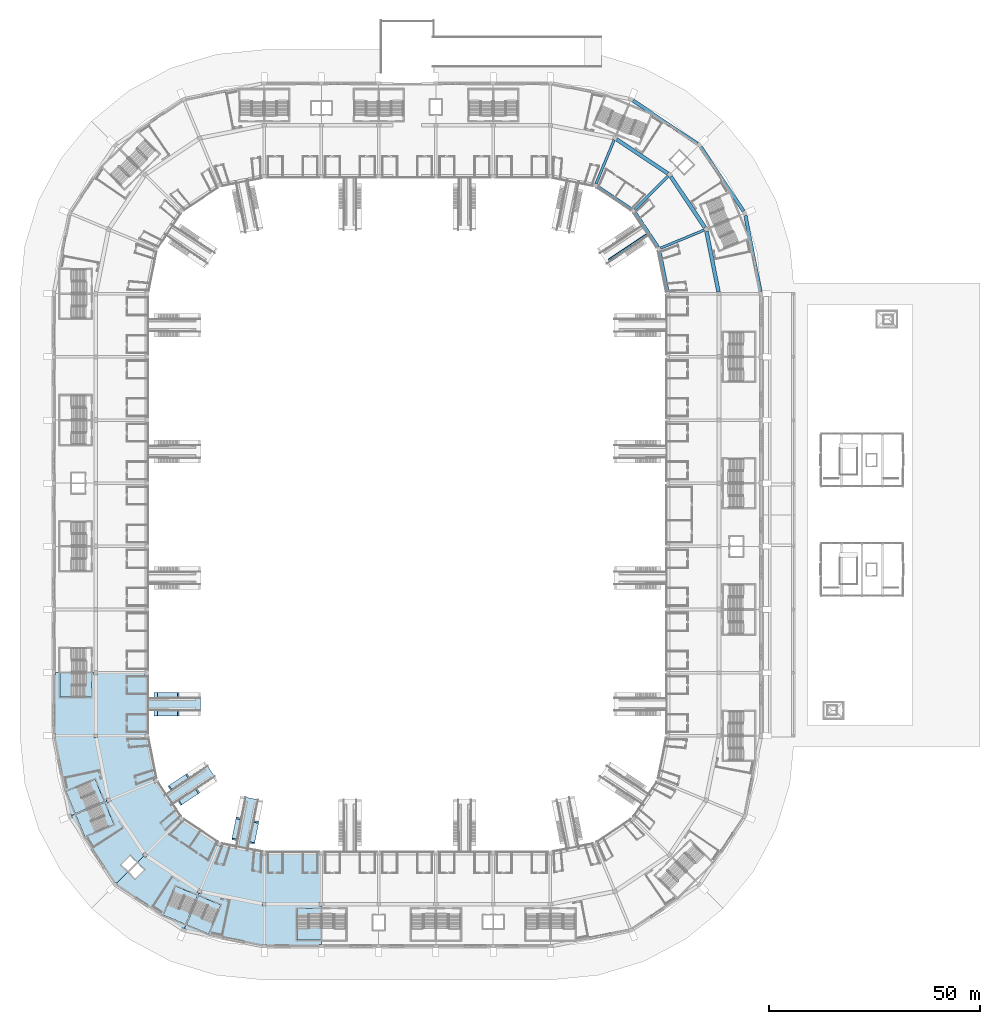
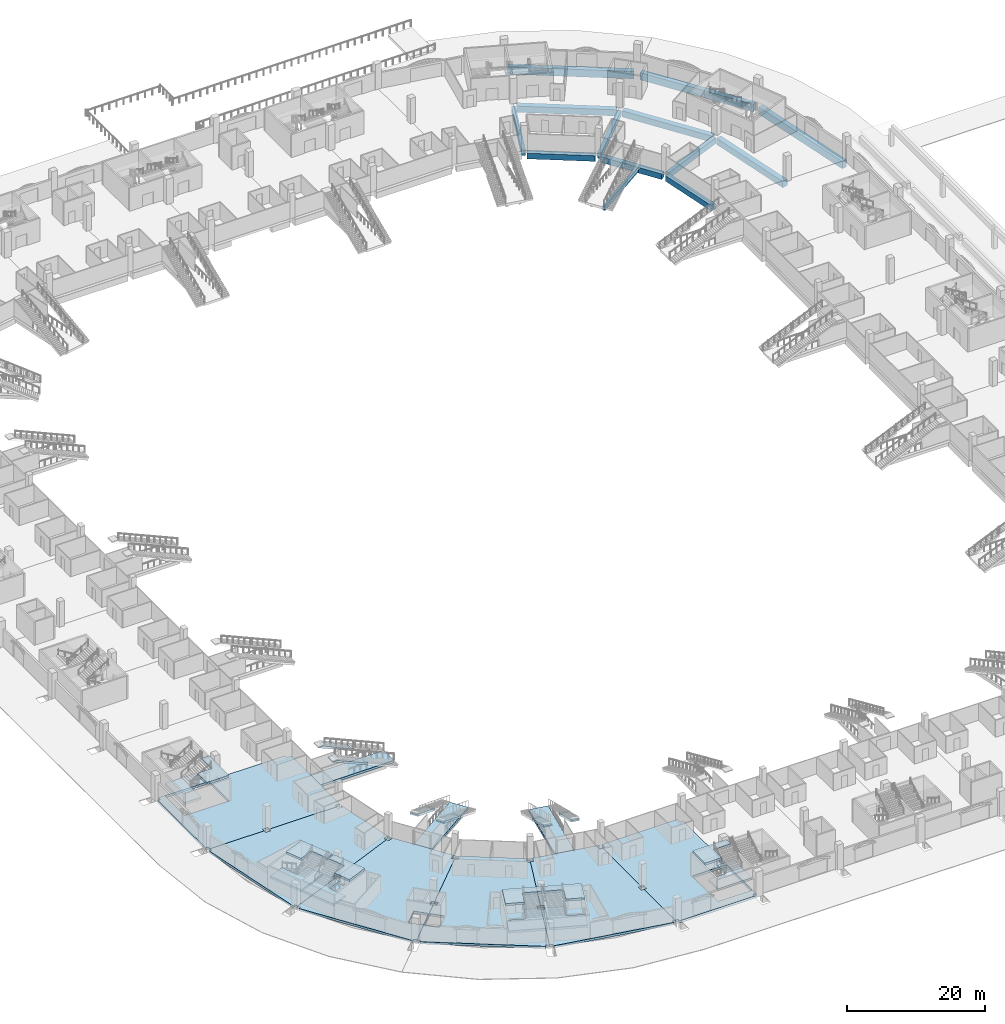
# One storey, part 14 of 175: 27 slabs, 13 beams, 6 elements without a shape of their own.
"""IFC4 building model written with IfcOpenShell, lengths in metres."""

from ifc_helpers import new_model, si_unit, direction, frame, origin, origin_2d, place, context, subcontext, project, spatial, polyline, rectangle, outline, extrude, material, layer, layer_set, material_profile, profile_set, type_object, element, aggregate, save


model = new_model("IFC4")

# Units and contexts
model_context = context("Model", 3, precision=1e-05, world=origin(), true_north=direction((0.0, 1.0)))
body_context = subcontext(model_context, "Body", "Model", "MODEL_VIEW")
ifc_project = project(units=[si_unit("LENGTHUNIT", "METRE"), si_unit("AREAUNIT", "SQUARE_METRE"), si_unit("VOLUMEUNIT", "CUBIC_METRE"), si_unit("PLANEANGLEUNIT", "RADIAN"), si_unit("MASSUNIT", "GRAM", prefix="KILO")], contexts=[model_context])

# Site, building, storey
site_placement = place(None, origin())
site = spatial("IfcSite", under=ifc_project, at=site_placement, CompositionType="ELEMENT")
building_placement = place(site_placement, origin())
building = spatial("IfcBuilding", under=site, at=building_placement, Name="Ogive Plaza Stadium", CompositionType="ELEMENT")
storey_placement = place(building_placement, origin())
storey = spatial("IfcBuildingStorey", under=building, at=storey_placement, Name="L00", CompositionType="ELEMENT", Elevation=0.0)

# Beams
ifc_material_1 = material(Name="Concrete C40/50", Category="concrete")
ifc_material_profile_1 = material_profile(ifc_material_1, rectangle(XDim=0.60009765625, YDim=1.0, at=origin_2d()), Name="RC 600x1000")
ifc_profile_set_1 = profile_set([ifc_material_profile_1], Name="Concrete C40/50")
beam_type_1 = type_object("IfcBeamType", Name="RC radial beam 600x1000", PredefinedType="BEAM", material=ifc_profile_set_1)
beam_1_placement = place(storey_placement, frame((44.829833984375, 78.645751953125, -0.909912109375), z_axis=(0.382677616283, 0.92388194159, 0.0), x_axis=(-0.92388194159, 0.382677616283, 0.0)))
element("IfcBeam", 1, at=beam_1_placement, inside=storey, type_object=beam_type_1, Name="Radial beam L00 R38 F3F4", PredefinedType="BEAM", context=body_context, shape_type="SweptSolid", body=[
    extrude(rectangle(XDim=0.60009765625, YDim=1.0, at=origin_2d()), origin(), (0.0, 0.0, 1.0), 11.250244140625),
])
beam_2_placement = place(storey_placement, frame((54.01123046875, 72.51123046875, -0.909912109375), z_axis=(0.707106781187, 0.707106781187, 0.0), x_axis=(-0.707106781187, 0.707106781187, 0.0)))
element("IfcBeam", 2, at=beam_2_placement, inside=storey, type_object=beam_type_1, Name="Radial beam L00 R39 F3F4", PredefinedType="BEAM", context=body_context, shape_type="SweptSolid", body=[
    extrude(rectangle(XDim=0.60009765625, YDim=1.0, at=origin_2d()), origin(), (0.0, 0.0, 1.0), 11.249755859375),
])
beam_3_placement = place(storey_placement, frame((60.145751953125, 63.329833984375, -0.909912109375), z_axis=(0.92388194159, 0.382677616283, 0.0), x_axis=(-0.382677616283, 0.92388194159, 0.0)))
element("IfcBeam", 3, at=beam_3_placement, inside=storey, type_object=beam_type_1, Name="Radial beam L00 R40 F3F4", PredefinedType="BEAM", context=body_context, shape_type="SweptSolid", body=[
    extrude(rectangle(XDim=0.60009765625, YDim=1.0, at=origin_2d()), origin(), (0.0, 0.0, 1.0), 11.250244140625),
])
ifc_material_2 = material(Name="Concrete C40/50", Category="concrete")
ifc_material_profile_2 = material_profile(ifc_material_2, rectangle(XDim=0.800048828125, YDim=1.0, at=origin_2d()), Name="RC 800x1000")
ifc_profile_set_2 = profile_set([ifc_material_profile_2], Name="Concrete C40/50")
beam_type_2 = type_object("IfcBeamType", Name="RC ring beam 800x1000", PredefinedType="BEAM", material=ifc_profile_set_2)
for number, where, z_axis, x_axis, name in (
    (4, (45.058349609375, 78.021240234375, -0.909912109375), (0.831469573595, -0.555570290949, 0.0), (0.555570290949, 0.831469573595, 0.0), "Ring beam F3 L00 B38"),
    (5, (53.983154296875, 71.8466796875, -0.909912109375), (0.555570290949, -0.831469573595, 0.0), (0.831469573595, 0.555570290949, 0.0), "Ring beam F3 L00 B39"),
):
    element("IfcBeam", number, at=place(storey_placement, frame(where, z_axis=z_axis, x_axis=x_axis)), inside=storey, type_object=beam_type_2, Name=name, PredefinedType="BEAM", context=body_context, shape_type="SweptSolid", body=[
        extrude(rectangle(XDim=0.800048828125, YDim=1.0, at=origin_2d()), origin(), (0.0, 0.0, 1.0), 9.96826171875),
    ])
beam_4_placement = place(storey_placement, frame((59.86572265625, 62.726806640625, -0.909912109375), z_axis=(0.195103876937, -0.980782584064, 0.0), x_axis=(0.980782584064, 0.195103876937, 0.0)))
element("IfcBeam", 6, at=beam_4_placement, inside=storey, type_object=beam_type_2, Name="Ring beam F3 L00 B40", PredefinedType="BEAM", context=body_context, shape_type="SweptSolid", body=[
    extrude(rectangle(XDim=0.800048828125, YDim=1.0, at=origin_2d()), origin(), (0.0, 0.0, 1.0), 10.01953125),
])
ifc_material_3 = material(Name="Concrete C40/50", Category="concrete")
ifc_material_profile_3 = material_profile(ifc_material_3, rectangle(XDim=0.89990234375, YDim=1.10009765625, at=origin_2d()), Name="RC 900x1100")
ifc_profile_set_3 = profile_set([ifc_material_profile_3], Name="Concrete C40/50")
beam_type_3 = type_object("IfcBeamType", Name="RC ring beam 900x1100", PredefinedType="BEAM", material=ifc_profile_set_3)
for number, where, z_axis, x_axis, name in (
    (7, (49.731201171875, 89.171875, -0.9599609375), (0.831467933961, -0.555572744827, 0.0), (0.555572744827, 0.831467933961, 0.0), "Ring beam F4 L00 B38"),
    (8, (62.5673828125, 80.3603515625, -0.9599609375), (0.555572744827, -0.831467933961, 0.0), (0.831467933961, 0.555572744827, 0.0), "Ring beam F4 L00 B39"),
):
    element("IfcBeam", number, at=place(storey_placement, frame(where, z_axis=z_axis, x_axis=x_axis)), inside=storey, type_object=beam_type_3, Name=name, PredefinedType="BEAM", context=body_context, shape_type="SweptSolid", body=[
        extrude(rectangle(XDim=0.89990234375, YDim=1.10009765625, at=origin_2d()), origin(), (0.0, 0.0, 1.0), 14.587646484375),
    ])
beam_5_placement = place(storey_placement, frame((71.0546875, 67.307373046875, -0.9599609375), z_axis=(0.195080078519, -0.980787317906, 0.0), x_axis=(0.980787317906, 0.195080078519, 0.0)))
element("IfcBeam", 9, at=beam_5_placement, inside=storey, type_object=beam_type_3, Name="Ring beam F4 L00 B40", PredefinedType="BEAM", context=body_context, shape_type="SweptSolid", body=[
    extrude(rectangle(XDim=0.89990234375, YDim=1.10009765625, at=origin_2d()), origin(), (0.0, 0.0, 1.0), 14.638671875),
])
ifc_material_4 = material(Name="Concrete C40/50", Category="concrete")
ifc_material_profile_4 = material_profile(ifc_material_4, rectangle(XDim=0.800048828125, YDim=1.300048828125, at=origin_2d()), Name="RC 800x1300")
ifc_profile_set_4 = profile_set([ifc_material_profile_4], Name="Concrete C40/50")
beam_type_4 = type_object("IfcBeamType", Name="RC spandrel beam 800x1300", PredefinedType="SPANDREL", material=ifc_profile_set_4)
for number, where, z_axis, x_axis, name in (
    (10, (53.600341796875, 98.38232421875, -1.06005859375), (0.831477897484, -0.555557833169, 0.0), (0.555557833169, 0.831477897484, 0.0), "Ring beam F5 L00 B38"),
    (11, (69.6669921875, 87.38916015625, -1.06005859375), (0.555557833169, -0.831477897484, 0.0), (0.831477897484, 0.555557833169, 0.0), "Ring beam F5 L00 B39"),
):
    element("IfcBeam", number, at=place(storey_placement, frame(where, z_axis=z_axis, x_axis=x_axis)), inside=storey, type_object=beam_type_4, Name=name, PredefinedType="SPANDREL", context=body_context, shape_type="SweptSolid", body=[
        extrude(rectangle(XDim=0.800048828125, YDim=1.300048828125, at=origin_2d()), origin(), (0.0, 0.0, 1.0), 18.387451171875),
    ])
beam_6_placement = place(storey_placement, frame((80.303466796875, 71.084228515625, -1.06005859375), z_axis=(0.195089866178, -0.980785371075, 0.0), x_axis=(0.980785371075, 0.195089866178, 0.0)))
element("IfcBeam", 12, at=beam_6_placement, inside=storey, type_object=beam_type_4, Name="Ring beam F5 L00 B40", PredefinedType="SPANDREL", context=body_context, shape_type="SweptSolid", body=[
    extrude(rectangle(XDim=0.800048828125, YDim=1.300048828125, at=origin_2d()), origin(), (0.0, 0.0, 1.0), 18.4384765625),
])
ifc_material_5 = material(Name="Concrete C40/50", Category="concrete")
ifc_material_profile_5 = material_profile(ifc_material_5, rectangle(XDim=0.39990234375, YDim=0.800048828125, at=origin_2d()), Name="RC 400x800")
ifc_profile_set_5 = profile_set([ifc_material_profile_5], Name="Concrete C40/50")
beam_type_5 = type_object("IfcBeamType", Name="RC tongue beam 400x800", PredefinedType="BEAM", material=ifc_profile_set_5)
beam_7_placement = place(storey_placement, frame((47.84814453125, 60.55029296875, -0.81005859375), z_axis=(0.831471984156, 0.555566683274, 0.0), x_axis=(-0.555566683274, 0.831471984156, 0.0)))
element("IfcBeam", 13, at=beam_7_placement, inside=storey, type_object=beam_type_5, Name="Vomitory beam B39 1", PredefinedType="BEAM", context=body_context, shape_type="SweptSolid", body=[
    extrude(rectangle(XDim=0.39990234375, YDim=0.800048828125, at=origin_2d()), origin(), (0.0, 0.0, 1.0), 10.98486328125),
])

# Slabs
ifc_material_6 = material(Name="Concrete C40/50", Category="concrete")
ifc_layer_1 = layer(ifc_material_6, 0.660888671875)
ifc_layer_set_1 = layer_set([ifc_layer_1], Name="Concrete C40/50")
ifc_layer_2 = layer(ifc_material_6, 0.449951171875)
ifc_layer_set_2 = layer_set([ifc_layer_2], Name="Concrete C40/50")
slab_type_1 = type_object("IfcSlabType", Name="Aisle stair slab 1300", PredefinedType="USERDEFINED", material=ifc_layer_set_2)
for number, where, z_axis, x_axis, name in (
    (14, (-40.01025390625, -71.951171875, 0.0), (0.0, 0.0, 1.0), (-0.195090322016, -0.980785280403, 0.0), "Aisle stair SA17L slab 2"),
    (15, (-35.890869140625, -72.7705078125, 0.0), (0.0, 0.0, 1.0), (-0.195090322016, -0.980785280403, 0.0), "Aisle stair SA17R slab 2"),
    (16, (-52.00390625, -62.004150390625, 0.0), (0.0, 0.0, 1.0), (-0.831469612303, -0.55557023302, 0.0), "Aisle stair SA19L slab 2"),
    (17, (-49.670654296875, -65.496337890625, 0.0), (0.0, 0.0, 1.0), (-0.831469612303, -0.55557023302, 0.0), "Aisle stair SA19R slab 2"),
):
    element("IfcSlab", number, at=place(storey_placement, frame(where, z_axis=z_axis, x_axis=x_axis)), inside=storey, type_object=slab_type_1, material=ifc_layer_set_1, Name=name, ObjectType="AISLE STAIR SLAB", PredefinedType="USERDEFINED", context=body_context, shape_type="SweptSolid", body=[
        extrude(outline(polyline([(0.0, 2.25), (0.37158203125, 2.25), (5.10009765625, 4.336181640625), (5.446533203125, 4.336181640625), (5.446533203125, 4.077880859375), (5.39990234375, 4.057373046875), (5.25, 3.9912109375), (5.10009765625, 3.925048828125), (4.949951171875, 3.85888671875), (4.800048828125, 3.79248046875), (4.64990234375, 3.7265625), (4.5, 3.660400390625), (4.35009765625, 3.593994140625), (4.199951171875, 3.52783203125), (4.050048828125, 3.4619140625), (3.89990234375, 3.3955078125), (3.75, 3.329345703125), (3.60009765625, 3.26318359375), (3.449951171875, 3.197021484375), (3.300048828125, 3.130859375), (3.14990234375, 3.064697265625), (3.0, 2.99853515625), (2.85009765625, 2.932373046875), (2.699951171875, 2.8662109375), (2.550048828125, 2.800048828125), (2.39990234375, 2.73388671875), (2.25, 2.66748046875), (2.10009765625, 2.6015625), (1.949951171875, 2.535400390625), (1.800048828125, 2.468994140625), (1.64990234375, 2.40283203125), (1.5, 2.3369140625), (1.35009765625, 2.2705078125), (1.199951171875, 2.204345703125), (1.050048828125, 2.13818359375), (0.89990234375, 2.072021484375), (0.75, 2.005859375), (0.60009765625, 1.939697265625), (0.449951171875, 1.87353515625), (0.300048828125, 1.807373046875), (0.14990234375, 1.7412109375), (0.0, 1.675048828125), (0.0, 2.25)])), frame((0.0, 0.64990234375, 0.0), z_axis=(0.0, -1.0, 0.0), x_axis=(1.0, 0.0, 0.0)), (0.0, 0.0, 1.0), 1.300048828125),
    ])
ifc_layer_3 = layer(ifc_material_6, 0.82373046875)
ifc_layer_set_3 = layer_set([ifc_layer_3], Name="Concrete C40/50")
for number, where, z_axis, x_axis, name in (
    (18, (-54.25, -42.89990234375, 0.0), (0.0, 0.0, 1.0), (-1.0, 0.0, 0.0), "Aisle stair SA21L slab 2"),
    (19, (-54.25, -47.10009765625, 0.0), (0.0, 0.0, 1.0), (-1.0, 0.0, 0.0), "Aisle stair SA21R slab 2"),
):
    element("IfcSlab", number, at=place(storey_placement, frame(where, z_axis=z_axis, x_axis=x_axis)), inside=storey, type_object=slab_type_1, material=ifc_layer_set_3, Name=name, ObjectType="AISLE STAIR SLAB", PredefinedType="USERDEFINED", context=body_context, shape_type="SweptSolid", body=[
        extrude(outline(polyline([(0.0, 2.25), (0.37158203125, 2.25), (5.10009765625, 4.336181640625), (5.949951171875, 4.336181640625), (5.949951171875, 4.300048828125), (5.85009765625, 4.255859375), (5.699951171875, 4.189697265625), (5.550048828125, 4.12353515625), (5.39990234375, 4.057373046875), (5.25, 3.9912109375), (5.10009765625, 3.925048828125), (4.949951171875, 3.85888671875), (4.800048828125, 3.79248046875), (4.64990234375, 3.7265625), (4.5, 3.660400390625), (4.35009765625, 3.593994140625), (4.199951171875, 3.52783203125), (4.050048828125, 3.4619140625), (3.89990234375, 3.3955078125), (3.75, 3.329345703125), (3.60009765625, 3.26318359375), (3.449951171875, 3.197021484375), (3.300048828125, 3.130859375), (3.14990234375, 3.064697265625), (3.0, 2.99853515625), (2.85009765625, 2.932373046875), (2.699951171875, 2.8662109375), (2.550048828125, 2.800048828125), (2.39990234375, 2.73388671875), (2.25, 2.66748046875), (2.10009765625, 2.6015625), (1.949951171875, 2.535400390625), (1.800048828125, 2.468994140625), (1.64990234375, 2.40283203125), (1.5, 2.3369140625), (1.35009765625, 2.2705078125), (1.199951171875, 2.204345703125), (1.050048828125, 2.13818359375), (0.89990234375, 2.072021484375), (0.75, 2.005859375), (0.60009765625, 1.939697265625), (0.449951171875, 1.87353515625), (0.300048828125, 1.807373046875), (0.14990234375, 1.7412109375), (0.0, 1.675048828125), (0.0, 2.25)])), frame((0.0, 0.64990234375, 0.0), z_axis=(0.0, -1.0, 0.0), x_axis=(1.0, 0.0, 0.0)), (0.0, 0.0, 1.0), 1.300048828125),
    ])
ifc_material_7 = material(Name="Concrete C40/50", Category="concrete")
ifc_layer_4 = layer(ifc_material_7, 0.409912109375)
ifc_layer_set_4 = layer_set([ifc_layer_4], Name="Concrete C40/50")
slab_type_2 = type_object("IfcSlabType", Name="RC floor slab 410", PredefinedType="FLOOR", material=ifc_layer_set_4)
slab_1_placement = place(storey_placement, frame((0.0, 0.0, -0.409912109375)))
element("IfcSlab", 20, at=slab_1_placement, inside=storey, type_object=slab_type_2, Name="Floor slab L00 B16", PredefinedType="FLOOR", context=body_context, shape_type="SweptSolid", body=[
    extrude(outline(polyline([(-34.0, -92.050048828125), (-33.550048828125, -92.050048828125), (-33.550048828125, -92.949951171875), (-34.0, -92.949951171875), (-34.0, -102.050048828125), (-33.5, -102.050048828125), (-33.5, -102.5), (-21.0, -102.5), (-21.0, -102.050048828125), (-20.39990234375, -102.050048828125), (-20.39990234375, -92.949951171875), (-20.949951171875, -92.949951171875), (-20.949951171875, -92.050048828125), (-20.39990234375, -92.050048828125), (-20.39990234375, -80.800048828125), (-20.89990234375, -80.800048828125), (-20.89990234375, -80.0), (-33.60009765625, -80.0), (-33.60009765625, -80.800048828125), (-34.0, -80.800048828125), (-34.0, -92.050048828125)]), holes=[polyline([(-26.22509765625, -93.550048828125), (-26.22509765625, -101.010009765625), (-20.52490234375, -101.010009765625), (-20.52490234375, -93.550048828125), (-26.22509765625, -93.550048828125)])]), origin(), (0.0, 0.0, 1.0), 0.409912109375),
])
slab_2_placement = place(storey_placement, frame((0.0, 0.0, -0.409912109375)))
element("IfcSlab", 21, at=slab_2_placement, inside=storey, type_object=slab_type_2, Name="Floor slab L00 B17", PredefinedType="FLOOR", context=body_context, shape_type="SweptSolid", body=[
    extrude(outline(polyline([(-49.135009765625, -89.03955078125), (-48.673095703125, -89.230712890625), (-49.017578125, -90.062255859375), (-49.4794921875, -89.870849609375), (-52.9619140625, -98.2783203125), (-52.453857421875, -98.48876953125), (-52.584228515625, -98.803466796875), (-34.5, -102.400634765625), (-34.5, -102.050048828125), (-34.0, -102.050048828125), (-34.0, -92.949951171875), (-34.449951171875, -92.949951171875), (-34.449951171875, -92.050048828125), (-34.0, -92.050048828125), (-34.0, -80.800048828125), (-34.39990234375, -80.800048828125), (-34.39990234375, -80.0), (-34.0, -80.0), (-44.523681640625, -77.90673828125), (-44.108154296875, -78.078857421875), (-44.414306640625, -78.818115234375), (-44.829833984375, -78.645751953125), (-49.135009765625, -89.03955078125)])), origin(), (0.0, 0.0, 1.0), 0.409912109375),
])
slab_3_placement = place(storey_placement, frame((0.0, 0.0, -0.409912109375)))
element("IfcSlab", 22, at=slab_3_placement, inside=storey, type_object=slab_type_2, Name="Floor slab L00 B18", PredefinedType="FLOOR", context=body_context, shape_type="SweptSolid", body=[
    extrude(outline(polyline([(-61.966064453125, -80.466064453125), (-61.612548828125, -80.819580078125), (-62.2490234375, -81.4560546875), (-62.6025390625, -81.1025390625), (-69.037109375, -87.537109375), (-68.648193359375, -87.926025390625), (-68.88916015625, -88.1669921875), (-53.600341796875, -98.38232421875), (-53.47021484375, -98.06787109375), (-52.9619140625, -98.2783203125), (-49.4794921875, -89.870849609375), (-49.94140625, -89.6796875), (-49.59716796875, -88.84814453125), (-49.135009765625, -89.03955078125), (-44.829833984375, -78.645751953125), (-45.24560546875, -78.4736328125), (-44.939453125, -77.734375), (-44.523681640625, -77.90673828125), (-53.445556640625, -71.945556640625), (-53.127197265625, -72.263671875), (-53.69287109375, -72.829345703125), (-54.01123046875, -72.51123046875), (-61.966064453125, -80.466064453125)]), holes=[polyline([(-64.06982421875, -82.74658203125), (-66.19091796875, -84.867919921875), (-64.635498046875, -86.42333984375), (-62.51416015625, -84.30224609375), (-64.06982421875, -82.74658203125)])]), origin(), (0.0, 0.0, 1.0), 0.409912109375),
])
slab_4_placement = place(storey_placement, frame((0.0, 0.0, -0.409912109375)))
element("IfcSlab", 23, at=slab_4_placement, inside=storey, type_object=slab_type_2, Name="Floor slab L00 B19", PredefinedType="FLOOR", context=body_context, shape_type="SweptSolid", body=[
    extrude(outline(polyline([(-70.53955078125, -67.635009765625), (-70.34814453125, -68.09716796875), (-71.1796875, -68.44140625), (-71.370849609375, -67.9794921875), (-79.7783203125, -71.4619140625), (-79.56787109375, -71.97021484375), (-79.88232421875, -72.100341796875), (-69.6669921875, -87.38916015625), (-69.426025390625, -87.148193359375), (-69.037109375, -87.537109375), (-62.6025390625, -81.1025390625), (-62.9560546875, -80.7490234375), (-62.319580078125, -80.112548828125), (-61.966064453125, -80.466064453125), (-54.01123046875, -72.51123046875), (-54.329345703125, -72.19287109375), (-53.763671875, -71.627197265625), (-53.445556640625, -71.945556640625), (-59.40673828125, -63.023681640625), (-59.234375, -63.439453125), (-59.9736328125, -63.74560546875), (-60.145751953125, -63.329833984375), (-70.53955078125, -67.635009765625)]), holes=[polyline([(-65.80224609375, -81.01416015625), (-67.92333984375, -83.135498046875), (-66.367919921875, -84.69091796875), (-64.24658203125, -82.56982421875), (-65.80224609375, -81.01416015625)])]), origin(), (0.0, 0.0, 1.0), 0.409912109375),
])
slab_5_placement = place(storey_placement, frame((0.0, 0.0, -0.409912109375)))
element("IfcSlab", 24, at=slab_5_placement, inside=storey, type_object=slab_type_2, Name="Floor slab L00 B20", PredefinedType="FLOOR", context=body_context, shape_type="SweptSolid", body=[
    extrude(outline(polyline([(-73.550048828125, -52.5), (-73.550048828125, -52.949951171875), (-74.449951171875, -52.949951171875), (-74.449951171875, -52.5), (-83.550048828125, -52.5), (-83.550048828125, -53.0), (-83.900634765625, -53.0), (-80.303466796875, -71.084228515625), (-79.98876953125, -70.953857421875), (-79.7783203125, -71.4619140625), (-71.370849609375, -67.9794921875), (-71.562255859375, -67.517578125), (-70.730712890625, -67.173095703125), (-70.53955078125, -67.635009765625), (-60.145751953125, -63.329833984375), (-60.318115234375, -62.914306640625), (-59.578857421875, -62.608154296875), (-59.40673828125, -63.023681640625), (-61.5, -52.5), (-61.5, -52.89990234375), (-62.300048828125, -52.89990234375), (-62.300048828125, -52.5), (-73.550048828125, -52.5)])), origin(), (0.0, 0.0, 1.0), 0.409912109375),
])
slab_6_placement = place(storey_placement, frame((0.0, 0.0, -0.409912109375)))
element("IfcSlab", 25, at=slab_6_placement, inside=storey, type_object=slab_type_2, Name="Floor slab L00 B21", PredefinedType="FLOOR", context=body_context, shape_type="SweptSolid", body=[
    extrude(outline(polyline([(-73.550048828125, -37.5), (-73.550048828125, -38.050048828125), (-74.449951171875, -38.050048828125), (-74.449951171875, -37.5), (-83.550048828125, -37.5), (-83.550048828125, -38.10009765625), (-84.0, -38.10009765625), (-84.0, -52.0), (-83.550048828125, -52.0), (-83.550048828125, -52.5), (-74.449951171875, -52.5), (-74.449951171875, -52.050048828125), (-73.550048828125, -52.050048828125), (-73.550048828125, -52.5), (-62.300048828125, -52.5), (-62.300048828125, -52.10009765625), (-61.5, -52.10009765625), (-61.5, -38.0), (-62.300048828125, -38.0), (-62.300048828125, -37.5), (-73.550048828125, -37.5)]), holes=[polyline([(-75.050048828125, -37.625), (-82.510009765625, -37.625), (-82.510009765625, -43.324951171875), (-75.050048828125, -43.324951171875), (-75.050048828125, -37.625)])]), origin(), (0.0, 0.0, 1.0), 0.409912109375),
])

# Stair, slabs
ifc_material_8 = material(Name="Concrete C40/50", Category="concrete")
stair_type = type_object("IfcStairType", Name="Exit stair", PredefinedType="STRAIGHT_RUN_STAIR", material=ifc_material_8)
stair_1_placement = place(storey_placement, origin())
stair_1 = element("IfcStair", 26, at=stair_1_placement, inside=storey, type_object=stair_type, Name="Exit stair ST16A L00 to L01", PredefinedType="STRAIGHT_RUN_STAIR")
ifc_material_9 = material(Name="Concrete C40/50", Category="concrete")
ifc_layer_5 = layer(ifc_material_9, 0.39990234375)
ifc_layer_set_5 = layer_set([ifc_layer_5], Name="Concrete C40/50")
slab_type_3 = type_object("IfcSlabType", Name="Stair landing", PredefinedType="LANDING", material=ifc_layer_set_5)
slab_7_placement = place(storey_placement, frame((0.0, 0.0, 1.85009765625)))
slab_7 = element("IfcSlab", 27, at=slab_7_placement, type_object=slab_type_3, Name="ST16A landing 1", PredefinedType="LANDING", context=body_context, shape_type="SweptSolid", body=[
    extrude(outline(polyline([(-20.52490234375, -101.010009765625), (-26.22509765625, -101.010009765625), (-26.22509765625, -98.2099609375), (-23.324951171875, -98.2099609375), (-23.324951171875, -95.81005859375), (-20.52490234375, -95.81005859375), (-20.52490234375, -98.2099609375), (-20.52490234375, -101.010009765625)])), origin(), (0.0, 0.0, 1.0), 0.39990234375),
])
slab_8_placement = place(storey_placement, frame((0.0, 0.0, 4.10009765625)))
slab_8 = element("IfcSlab", 28, at=slab_8_placement, type_object=slab_type_3, Name="ST16A landing 2", PredefinedType="LANDING", context=body_context, shape_type="SweptSolid", body=[
    extrude(outline(polyline([(-23.425048828125, -97.25), (-26.22509765625, -97.25), (-26.22509765625, -94.85009765625), (-26.22509765625, -93.550048828125), (-20.52490234375, -93.550048828125), (-20.52490234375, -94.85009765625), (-23.425048828125, -94.85009765625), (-23.425048828125, -97.25)])), origin(), (0.0, 0.0, 1.0), 0.39990234375),
])
aggregate(stair_1, [slab_7, slab_8])

stair_2_placement = place(storey_placement, origin())
stair_2 = element("IfcStair", 29, at=stair_2_placement, inside=storey, type_object=stair_type, Name="Exit stair ST18A L00 to L01", PredefinedType="STRAIGHT_RUN_STAIR")
slab_9_placement = place(storey_placement, frame((0.0, 0.0, 1.85009765625)))
slab_9 = element("IfcSlab", 30, at=slab_9_placement, type_object=slab_type_3, Name="ST18A landing 1", PredefinedType="LANDING", context=body_context, shape_type="SweptSolid", body=[
    extrude(outline(polyline([(-52.679443359375, -97.26953125), (-57.945556640625, -95.08837890625), (-56.8740234375, -92.50146484375), (-54.19482421875, -93.611083984375), (-53.2763671875, -91.393798828125), (-50.689453125, -92.46533203125), (-51.60791015625, -94.6826171875), (-52.679443359375, -97.26953125)])), origin(), (0.0, 0.0, 1.0), 0.39990234375),
])
slab_10_placement = place(storey_placement, frame((0.0, 0.0, 4.10009765625)))
slab_10 = element("IfcSlab", 31, at=slab_10_placement, type_object=slab_type_3, Name="ST18A landing 2", PredefinedType="LANDING", context=body_context, shape_type="SweptSolid", body=[
    extrude(outline(polyline([(-53.919921875, -92.68603515625), (-56.506591796875, -91.614501953125), (-55.588134765625, -89.397216796875), (-55.0908203125, -88.196044921875), (-49.82470703125, -90.37744140625), (-50.322021484375, -91.578369140625), (-53.00146484375, -90.46875), (-53.919921875, -92.68603515625)])), origin(), (0.0, 0.0, 1.0), 0.39990234375),
])
aggregate(stair_2, [slab_9, slab_10])

stair_3_placement = place(storey_placement, origin())
stair_3 = element("IfcStair", 32, at=stair_3_placement, inside=storey, type_object=stair_type, Name="Exit stair ST18B L00 to L01", PredefinedType="STRAIGHT_RUN_STAIR")
slab_11_placement = place(storey_placement, frame((0.0, 0.0, 1.85009765625)))
slab_11 = element("IfcSlab", 33, at=slab_11_placement, type_object=slab_type_3, Name="ST18B landing 1", PredefinedType="LANDING", context=body_context, shape_type="SweptSolid", body=[
    extrude(outline(polyline([(-50.45849609375, -92.56103515625), (-47.87158203125, -93.632568359375), (-48.7900390625, -95.849853515625), (-46.11083984375, -96.959716796875), (-47.182373046875, -99.546630859375), (-52.448486328125, -97.365234375), (-51.376953125, -94.7783203125), (-50.45849609375, -92.56103515625)])), origin(), (0.0, 0.0, 1.0), 0.39990234375),
])
slab_12_placement = place(storey_placement, frame((0.0, 0.0, 4.10009765625)))
slab_12 = element("IfcSlab", 34, at=slab_12_placement, type_object=slab_type_3, Name="ST18B landing 2", PredefinedType="LANDING", context=body_context, shape_type="SweptSolid", body=[
    extrude(outline(polyline([(-50.091064453125, -91.674072265625), (-49.59375, -90.47314453125), (-44.32763671875, -92.654296875), (-44.824951171875, -93.85546875), (-45.743408203125, -96.07275390625), (-48.330322265625, -95.001220703125), (-47.411865234375, -92.783935546875), (-50.091064453125, -91.674072265625)])), origin(), (0.0, 0.0, 1.0), 0.39990234375),
])
aggregate(stair_3, [slab_11, slab_12])

stair_4_placement = place(storey_placement, origin())
stair_4 = element("IfcStair", 35, at=stair_4_placement, inside=storey, type_object=stair_type, Name="Exit stair ST20A L00 to L01", PredefinedType="STRAIGHT_RUN_STAIR")
slab_13_placement = place(storey_placement, frame((0.0, 0.0, 1.85009765625)))
slab_13 = element("IfcSlab", 36, at=slab_13_placement, type_object=slab_type_3, Name="ST20A landing 1", PredefinedType="LANDING", context=body_context, shape_type="SweptSolid", body=[
    extrude(outline(polyline([(-78.865234375, -70.948486328125), (-81.046630859375, -65.682373046875), (-78.459716796875, -64.61083984375), (-77.349853515625, -67.2900390625), (-75.132568359375, -66.37158203125), (-74.06103515625, -68.95849609375), (-76.2783203125, -69.876953125), (-78.865234375, -70.948486328125)])), origin(), (0.0, 0.0, 1.0), 0.39990234375),
])
slab_14_placement = place(storey_placement, frame((0.0, 0.0, 4.10009765625)))
slab_14 = element("IfcSlab", 37, at=slab_14_placement, type_object=slab_type_3, Name="ST20A landing 2", PredefinedType="LANDING", context=body_context, shape_type="SweptSolid", body=[
    extrude(outline(polyline([(-76.501220703125, -66.830322265625), (-77.57275390625, -64.243408203125), (-75.35546875, -63.324951171875), (-74.154296875, -62.82763671875), (-71.97314453125, -68.09375), (-73.174072265625, -68.591064453125), (-74.283935546875, -65.911865234375), (-76.501220703125, -66.830322265625)])), origin(), (0.0, 0.0, 1.0), 0.39990234375),
])
aggregate(stair_4, [slab_13, slab_14])

stair_5_placement = place(storey_placement, origin())
stair_5 = element("IfcStair", 38, at=stair_5_placement, inside=storey, type_object=stair_type, Name="Exit stair ST20B L00 to L01", PredefinedType="STRAIGHT_RUN_STAIR")
slab_15_placement = place(storey_placement, frame((0.0, 0.0, 1.85009765625)))
slab_15 = element("IfcSlab", 39, at=slab_15_placement, type_object=slab_type_3, Name="ST20B landing 1", PredefinedType="LANDING", context=body_context, shape_type="SweptSolid", body=[
    extrude(outline(polyline([(-73.96533203125, -69.189453125), (-72.893798828125, -71.7763671875), (-75.111083984375, -72.69482421875), (-74.00146484375, -75.3740234375), (-76.58837890625, -76.445556640625), (-78.76953125, -71.179443359375), (-76.1826171875, -70.10791015625), (-73.96533203125, -69.189453125)])), origin(), (0.0, 0.0, 1.0), 0.39990234375),
])
slab_16_placement = place(storey_placement, frame((0.0, 0.0, 4.10009765625)))
slab_16 = element("IfcSlab", 40, at=slab_16_placement, type_object=slab_type_3, Name="ST20B landing 2", PredefinedType="LANDING", context=body_context, shape_type="SweptSolid", body=[
    extrude(outline(polyline([(-73.078369140625, -68.822021484375), (-71.87744140625, -68.32470703125), (-69.696044921875, -73.5908203125), (-70.897216796875, -74.088134765625), (-73.114501953125, -75.006591796875), (-74.18603515625, -72.419921875), (-71.96875, -71.50146484375), (-73.078369140625, -68.822021484375)])), origin(), (0.0, 0.0, 1.0), 0.39990234375),
])
aggregate(stair_5, [slab_15, slab_16])

stair_6_placement = place(storey_placement, origin())
stair_6 = element("IfcStair", 41, at=stair_6_placement, inside=storey, type_object=stair_type, Name="Exit stair ST22B L00 to L01", PredefinedType="STRAIGHT_RUN_STAIR")
slab_17_placement = place(storey_placement, frame((0.0, 0.0, 1.85009765625)))
slab_17 = element("IfcSlab", 42, at=slab_17_placement, type_object=slab_type_3, Name="ST22B landing 1", PredefinedType="LANDING", context=body_context, shape_type="SweptSolid", body=[
    extrude(outline(polyline([(-77.31005859375, -37.625), (-77.31005859375, -40.425048828125), (-79.7099609375, -40.425048828125), (-79.7099609375, -43.324951171875), (-82.510009765625, -43.324951171875), (-82.510009765625, -37.625), (-79.7099609375, -37.625), (-77.31005859375, -37.625)])), origin(), (0.0, 0.0, 1.0), 0.39990234375),
])
slab_18_placement = place(storey_placement, frame((0.0, 0.0, 4.10009765625)))
slab_18 = element("IfcSlab", 43, at=slab_18_placement, type_object=slab_type_3, Name="ST22B landing 2", PredefinedType="LANDING", context=body_context, shape_type="SweptSolid", body=[
    extrude(outline(polyline([(-76.35009765625, -37.625), (-75.050048828125, -37.625), (-75.050048828125, -43.324951171875), (-76.35009765625, -43.324951171875), (-78.75, -43.324951171875), (-78.75, -40.52490234375), (-76.35009765625, -40.52490234375), (-76.35009765625, -37.625)])), origin(), (0.0, 0.0, 1.0), 0.39990234375),
])
aggregate(stair_6, [slab_17, slab_18])

# Slabs
ifc_material_10 = material(Name="Concrete C40/50", Category="concrete")
ifc_layer_6 = layer(ifc_material_10, 0.409912109375)
ifc_layer_set_6 = layer_set([ifc_layer_6], Name="Concrete C40/50")
slab_type_4 = type_object("IfcSlabType", Name="Vomitory floor slab 410", PredefinedType="FLOOR", material=ifc_layer_set_6)
slab_19_placement = place(storey_placement, frame((0.0, 0.0, -0.409912109375)))
element("IfcSlab", 44, at=slab_19_placement, inside=storey, type_object=slab_type_4, Name="Vomitory floor B17", PredefinedType="FLOOR", context=body_context, shape_type="SweptSolid", body=[
    extrude(outline(polyline([(-38.4267578125, -67.066162109375), (-35.484375, -67.651611328125), (-37.790771484375, -79.24609375), (-40.733154296875, -78.66064453125), (-38.4267578125, -67.066162109375)])), origin(), (0.0, 0.0, 1.0), 0.409912109375),
])
slab_20_placement = place(storey_placement, frame((0.0, 0.0, -0.409912109375)))
element("IfcSlab", 45, at=slab_20_placement, inside=storey, type_object=slab_type_4, Name="Vomitory floor B19", PredefinedType="FLOOR", context=body_context, shape_type="SweptSolid", body=[
    extrude(outline(polyline([(-47.43017578125, -59.669677734375), (-45.763427734375, -62.1640625), (-55.5927734375, -68.73193359375), (-57.259521484375, -66.2373046875), (-47.43017578125, -59.669677734375)])), origin(), (0.0, 0.0, 1.0), 0.409912109375),
])
slab_21_placement = place(storey_placement, frame((0.0, 0.0, -0.409912109375)))
element("IfcSlab", 46, at=slab_21_placement, inside=storey, type_object=slab_type_4, Name="Vomitory floor B21", PredefinedType="FLOOR", context=body_context, shape_type="SweptSolid", body=[
    extrude(outline(polyline([(-49.14990234375, -43.5), (-49.14990234375, -46.5), (-61.5, -46.5), (-61.5, -43.5), (-49.14990234375, -43.5)])), origin(), (0.0, 0.0, 1.0), 0.409912109375),
])

save(model, "model.ifc")
